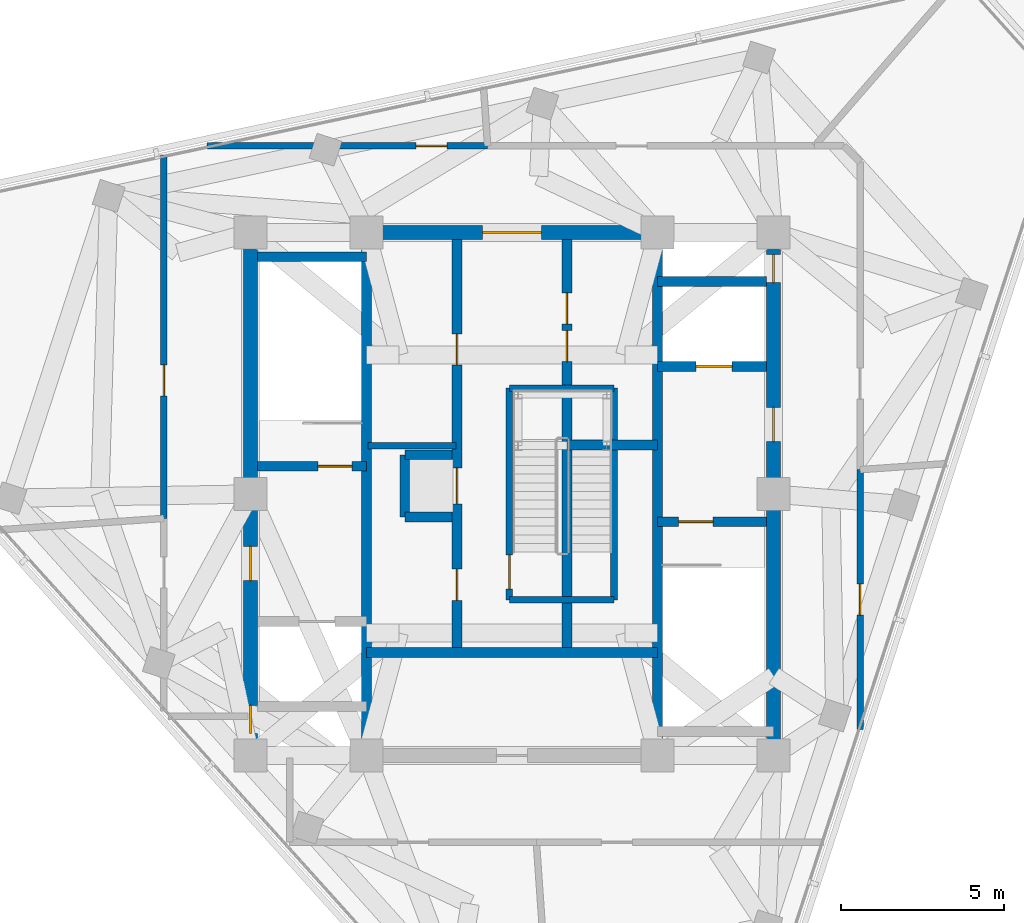
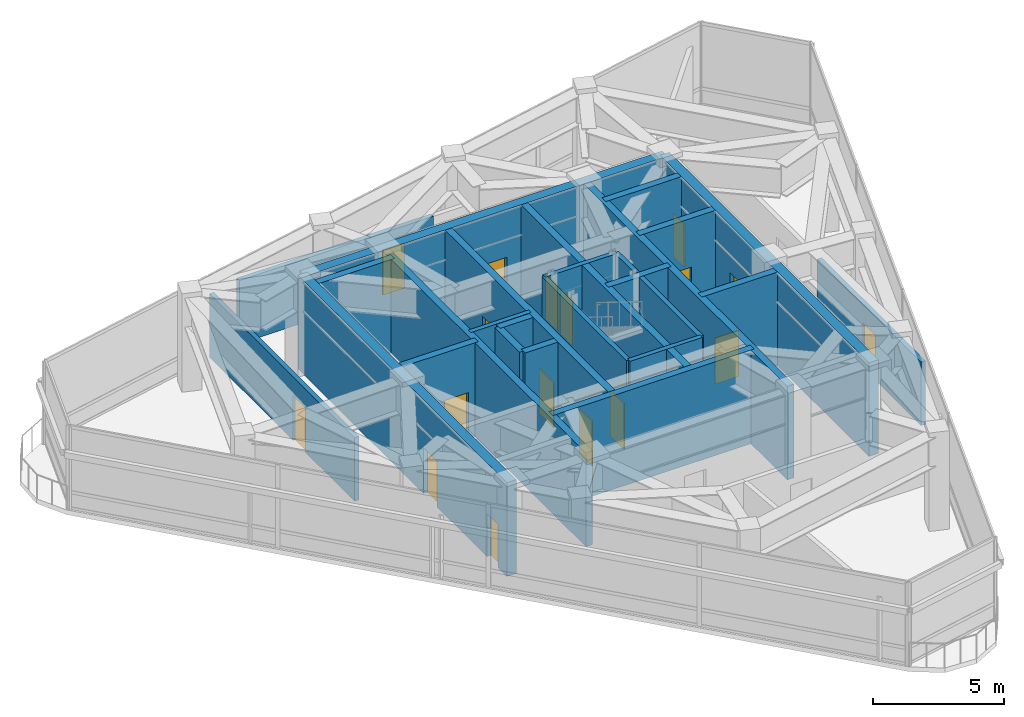
# One storey, part 7 of 11: 25 walls, 17 doors, 17 openings.
"""IFC4 building model written with IfcOpenShell, lengths in metres."""

from ifc_helpers import new_model, si_unit, direction, frame, frame_2d, origin, place, context, subcontext, project, spatial, rectangle, extrude, material, layer, layer_set, type_object, element, fill, save


model = new_model("IFC4")

# Units and contexts
model_context = context("Model", 3, precision=1e-05, world=origin(), true_north=direction((0.0, 1.0)))
body_context = subcontext(model_context, "Body", "Model", "MODEL_VIEW")
ifc_project = project(units=[si_unit("LENGTHUNIT", "METRE"), si_unit("AREAUNIT", "SQUARE_METRE"), si_unit("VOLUMEUNIT", "CUBIC_METRE"), si_unit("PLANEANGLEUNIT", "RADIAN"), si_unit("MASSUNIT", "GRAM", prefix="KILO")], contexts=[model_context])

# Site, building, storey
site_placement = place(None, origin())
site = spatial("IfcSite", under=ifc_project, at=site_placement, CompositionType="ELEMENT")
building_placement = place(site_placement, origin())
building = spatial("IfcBuilding", under=site, at=building_placement, Name="Terralouvre Media Tower", CompositionType="ELEMENT")
storey_placement = place(building_placement, frame((0.0, 0.0, 322.0)))
storey = spatial("IfcBuildingStorey", under=building, at=storey_placement, Name="L83", CompositionType="ELEMENT", Elevation=322.0)

# Walls
ifc_material_1 = material(Name="Concrete C50/60", Category="concrete")
ifc_layer_1 = layer(ifc_material_1, 0.300048828125, Name="Core Internal Shaft Wall CW-300")
ifc_layer_set_1 = layer_set([ifc_layer_1], Name="Concrete C50/60")
wall_type_1 = type_object("IfcWallType", Name="Core Internal Shaft Wall CW-300", PredefinedType="SHEAR", material=ifc_layer_set_1)
for number, where, z_axis, x_axis, name in (
    (1, (-4.449951171875, -7.7900390625, 0.0), (0.0, 0.0, 1.0), (0.0, 1.0, 0.0), "L83 Core Shaft Wall SPW"),
    (2, (4.449951171875, -7.7900390625, 0.0), (0.0, 0.0, 1.0), (0.0, 1.0, 0.0), "L83 Core Shaft Wall SPE"),
):
    element("IfcWall", number, at=place(storey_placement, frame(where, z_axis=z_axis, x_axis=x_axis)), inside=storey, type_object=wall_type_1, Name=name, PredefinedType="SHEAR", context=body_context, shape_type="SweptSolid", body=[
        extrude(rectangle(XDim=15.580078125, YDim=0.300048828125, at=frame_2d((7.7900390625, 0.0))), origin(), (0.0, 0.0, 1.0), 4.3798828125),
    ])

# Wall, opening, door
wall_1_placement = place(storey_placement, frame((-7.7900390625, 0.85009765625, 0.0), z_axis=(0.0, 0.0, 1.0), x_axis=(1.0, 0.0, 0.0)))
wall_1 = element("IfcWall", 3, at=wall_1_placement, inside=storey, type_object=wall_type_1, Name="L83 Core Shaft Wall ST1D", PredefinedType="SHEAR", context=body_context, shape_type="SweptSolid", body=[
    extrude(rectangle(XDim=3.340087890625, YDim=0.300048828125, at=frame_2d((1.669921875, 0.0))), origin(), (0.0, 0.0, 1.0), 4.3798828125),
])
opening_1_placement = place(wall_1_placement, frame((1.85009765625, 0.0, 0.0)))
opening_1 = element("IfcOpeningElement", 4, at=opening_1_placement, cuts=wall_1, Name="Opening FD-01-105X215", PredefinedType="OPENING", context=body_context, shape_type="SweptSolid", body=[
    extrude(rectangle(XDim=1.050048828125, YDim=2.14990234375, at=frame_2d((0.52490234375, 1.074951171875))), frame((0.0, 0.159912109375, 0.0), z_axis=(0.0, -1.0, 0.0), x_axis=(1.0, 0.0, 0.0)), (0.0, 0.0, 1.0), 0.320068359375),
])
ifc_material_2 = material(Name="Galvanised steel fire-resisting leaf", Category="steel")
door_type_1 = type_object("IfcDoorType", Name="Stair and Firefighting Lobby Fire Door FD-01 (1050x2150)", OperationType="NOTDEFINED", PredefinedType="DOOR", material=ifc_material_2)
door_1_placement = place(opening_1_placement, origin())
door_1 = element("IfcDoor", 5, at=door_1_placement, inside=storey, type_object=door_type_1, Name="L83 ST-01 Exit Stair Door", OperationType="SINGLE_SWING_LEFT", OverallHeight=2.14990234375, OverallWidth=1.050048828125, PredefinedType="DOOR", context=body_context, shape_type="SweptSolid", body=[
    extrude(rectangle(XDim=1.050048828125, YDim=2.14990234375, at=frame_2d((0.52490234375, 1.074951171875))), frame((0.0, 0.02490234375, 0.0), z_axis=(0.0, -1.0, 0.0), x_axis=(1.0, 0.0, 0.0)), (0.0, 0.0, 1.0), 0.050048828125),
])
fill(opening_1, door_1)

# Wall
wall_2_placement = place(storey_placement, frame((-7.7900390625, 7.260009765625, 0.0), z_axis=(0.0, 0.0, 1.0), x_axis=(1.0, 0.0, 0.0)))
element("IfcWall", 6, at=wall_2_placement, inside=storey, type_object=wall_type_1, Name="L83 Core Shaft Wall ST1F", PredefinedType="SHEAR", context=body_context, shape_type="SweptSolid", body=[
    extrude(rectangle(XDim=3.340087890625, YDim=0.300048828125, at=frame_2d((1.669921875, 0.0))), origin(), (0.0, 0.0, 1.0), 4.3798828125),
])

# Wall, opening, door
wall_3_placement = place(storey_placement, frame((4.449951171875, -0.85009765625, 0.0), z_axis=(0.0, 0.0, 1.0), x_axis=(1.0, 0.0, 0.0)))
wall_3 = element("IfcWall", 7, at=wall_3_placement, inside=storey, type_object=wall_type_1, Name="L83 Core Shaft Wall ST2D", PredefinedType="SHEAR", context=body_context, shape_type="SweptSolid", body=[
    extrude(rectangle(XDim=3.340087890625, YDim=0.300048828125, at=frame_2d((1.669921875, 0.0))), origin(), (0.0, 0.0, 1.0), 4.3798828125),
])
opening_2_placement = place(wall_3_placement, frame((0.64990234375, 0.0, 0.0)))
opening_2 = element("IfcOpeningElement", 8, at=opening_2_placement, cuts=wall_3, Name="Opening FD-01-105X215", PredefinedType="OPENING", context=body_context, shape_type="SweptSolid", body=[
    extrude(rectangle(XDim=1.050048828125, YDim=2.14990234375, at=frame_2d((0.52490234375, 1.074951171875))), frame((0.0, 0.159912109375, 0.0), z_axis=(0.0, -1.0, 0.0), x_axis=(1.0, 0.0, 0.0)), (0.0, 0.0, 1.0), 0.320068359375),
])
door_2_placement = place(opening_2_placement, origin())
door_2 = element("IfcDoor", 9, at=door_2_placement, inside=storey, type_object=door_type_1, Name="L83 ST-02 Exit Stair Door", OperationType="SINGLE_SWING_RIGHT", OverallHeight=2.14990234375, OverallWidth=1.050048828125, PredefinedType="DOOR", context=body_context, shape_type="SweptSolid", body=[
    extrude(rectangle(XDim=1.050048828125, YDim=2.14990234375, at=frame_2d((0.52490234375, 1.074951171875))), frame((0.0, 0.02490234375, 0.0), z_axis=(0.0, -1.0, 0.0), x_axis=(1.0, 0.0, 0.0)), (0.0, 0.0, 1.0), 0.050048828125),
])
fill(opening_2, door_2)

wall_4_placement = place(storey_placement, frame((4.449951171875, 3.89990234375, 0.0), z_axis=(0.0, 0.0, 1.0), x_axis=(1.0, 0.0, 0.0)))
wall_4 = element("IfcWall", 10, at=wall_4_placement, inside=storey, type_object=wall_type_1, Name="L83 Core Shaft Wall FF2S", PredefinedType="SHEAR", context=body_context, shape_type="SweptSolid", body=[
    extrude(rectangle(XDim=3.340087890625, YDim=0.300048828125, at=frame_2d((1.669921875, 0.0))), origin(), (0.0, 0.0, 1.0), 4.3798828125),
])
opening_3_placement = place(wall_4_placement, frame((1.179931640625, 0.0, 0.0)))
opening_3 = element("IfcOpeningElement", 11, at=opening_3_placement, cuts=wall_4, Name="Opening LD-FF", PredefinedType="OPENING", context=body_context, shape_type="SweptSolid", body=[
    extrude(rectangle(XDim=1.10009765625, YDim=2.10009765625, at=frame_2d((0.550048828125, 1.050048828125))), frame((0.0, 0.159912109375, 0.0), z_axis=(0.0, -1.0, 0.0), x_axis=(1.0, 0.0, 0.0)), (0.0, 0.0, 1.0), 0.320068359375),
])
ifc_material_3 = material(Name="Stainless steel 316 handrail and balustrade", Category="steel")
door_type_2 = type_object("IfcDoorType", Name="Firefighting Lift Sliding Landing Door LD-FF", OperationType="SLIDING_TO_LEFT", PredefinedType="DOOR", material=ifc_material_3)
door_3_placement = place(opening_3_placement, origin())
door_3 = element("IfcDoor", 12, at=door_3_placement, inside=storey, type_object=door_type_2, Name="L83 Firefighting Lift FFL-02 Landing Door", OperationType="SLIDING_TO_LEFT", OverallHeight=2.10009765625, OverallWidth=1.10009765625, PredefinedType="DOOR", context=body_context, shape_type="SweptSolid", body=[
    extrude(rectangle(XDim=1.10009765625, YDim=2.10009765625, at=frame_2d((0.550048828125, 1.050048828125))), frame((0.0, 0.02490234375, 0.0), z_axis=(0.0, -1.0, 0.0), x_axis=(1.0, 0.0, 0.0)), (0.0, 0.0, 1.0), 0.050048828125),
])
fill(opening_3, door_3)

# Walls
wall_5_placement = place(storey_placement, frame((4.449951171875, 6.5, 0.0), z_axis=(0.0, 0.0, 1.0), x_axis=(1.0, 0.0, 0.0)))
element("IfcWall", 13, at=wall_5_placement, inside=storey, type_object=wall_type_1, Name="L83 Core Shaft Wall FF2N", PredefinedType="SHEAR", context=body_context, shape_type="SweptSolid", body=[
    extrude(rectangle(XDim=3.340087890625, YDim=0.300048828125, at=frame_2d((1.669921875, 0.0))), origin(), (0.0, 0.0, 1.0), 4.3798828125),
])
wall_6_placement = place(storey_placement, frame((-4.449951171875, -4.85009765625, 0.0), z_axis=(0.0, 0.0, 1.0), x_axis=(1.0, 0.0, 0.0)))
element("IfcWall", 14, at=wall_6_placement, inside=storey, type_object=wall_type_1, Name="L83 Core Shaft Wall CSBN", PredefinedType="SHEAR", context=body_context, shape_type="SweptSolid", body=[
    extrude(rectangle(XDim=8.89990234375, YDim=0.300048828125, at=frame_2d((4.449951171875, 0.0))), origin(), (0.0, 0.0, 1.0), 4.3798828125),
])

# Wall, openings, doors
wall_7_placement = place(storey_placement, frame((-1.679931640625, -4.85009765625, 0.0), z_axis=(0.0, 0.0, 1.0), x_axis=(0.0, 1.0, 0.0)))
wall_7 = element("IfcWall", 15, at=wall_7_placement, inside=storey, type_object=wall_type_1, Name="L83 Core Shaft Wall LBW", PredefinedType="SHEAR", context=body_context, shape_type="SweptSolid", body=[
    extrude(rectangle(XDim=12.64013671875, YDim=0.300048828125, at=frame_2d((6.320068359375, 0.0))), origin(), (0.0, 0.0, 1.0), 4.3798828125),
])
opening_4_placement = place(wall_7_placement, frame((1.60009765625, 0.0, 0.0)))
opening_4 = element("IfcOpeningElement", 16, at=opening_4_placement, cuts=wall_7, Name="Opening FD-02-95X210", PredefinedType="OPENING", context=body_context, shape_type="SweptSolid", body=[
    extrude(rectangle(XDim=0.949951171875, YDim=2.10009765625, at=frame_2d((0.47509765625, 1.050048828125))), frame((0.0, 0.159912109375, 0.0), z_axis=(0.0, -1.0, 0.0), x_axis=(1.0, 0.0, 0.0)), (0.0, 0.0, 1.0), 0.320068359375),
])
opening_5_placement = place(wall_7_placement, frame((4.550048828125, 0.0, 0.0)))
opening_5 = element("IfcOpeningElement", 17, at=opening_5_placement, cuts=wall_7, Name="Opening LD-PL", PredefinedType="OPENING", context=body_context, shape_type="SweptSolid", body=[
    extrude(rectangle(XDim=1.10009765625, YDim=2.10009765625, at=frame_2d((0.550048828125, 1.050048828125))), frame((0.0, 0.159912109375, 0.0), z_axis=(0.0, -1.0, 0.0), x_axis=(1.0, 0.0, 0.0)), (0.0, 0.0, 1.0), 0.320068359375),
])
opening_6_placement = place(wall_7_placement, frame((8.800048828125, 0.0, 0.0)))
opening_6 = element("IfcOpeningElement", 18, at=opening_6_placement, cuts=wall_7, Name="Opening FD-04-95X210", PredefinedType="OPENING", context=body_context, shape_type="SweptSolid", body=[
    extrude(rectangle(XDim=0.949951171875, YDim=2.10009765625, at=frame_2d((0.47509765625, 1.050048828125))), frame((0.0, 0.159912109375, 0.0), z_axis=(0.0, -1.0, 0.0), x_axis=(1.0, 0.0, 0.0)), (0.0, 0.0, 1.0), 0.320068359375),
])
ifc_material_4 = material(Name="Galvanised steel fire-resisting leaf", Category="steel")
door_type_3 = type_object("IfcDoorType", Name="Core Store and Service Fire Door FD-04 (950x2100)", OperationType="NOTDEFINED", PredefinedType="DOOR", material=ifc_material_4)
door_4_placement = place(opening_6_placement, origin())
door_4 = element("IfcDoor", 19, at=door_4_placement, inside=storey, type_object=door_type_3, Name="L83 Core Linen Store Door", OperationType="SINGLE_SWING_RIGHT", OverallHeight=2.10009765625, OverallWidth=0.949951171875, PredefinedType="DOOR", context=body_context, shape_type="SweptSolid", body=[
    extrude(rectangle(XDim=0.949951171875, YDim=2.10009765625, at=frame_2d((0.47509765625, 1.050048828125))), frame((0.0, 0.02490234375, 0.0), z_axis=(0.0, -1.0, 0.0), x_axis=(1.0, 0.0, 0.0)), (0.0, 0.0, 1.0), 0.050048828125),
])
fill(opening_6, door_4)
ifc_material_5 = material(Name="Stainless steel 316 handrail and balustrade", Category="steel")
door_type_4 = type_object("IfcDoorType", Name="Passenger Lift Sliding Landing Door LD-PL", OperationType="SLIDING_TO_LEFT", PredefinedType="DOOR", material=ifc_material_5)
door_5_placement = place(opening_5_placement, origin())
door_5 = element("IfcDoor", 20, at=door_5_placement, inside=storey, type_object=door_type_4, Name="L83 Crown Service Lift CSL-01 Landing Door", OperationType="SLIDING_TO_LEFT", OverallHeight=2.10009765625, OverallWidth=1.10009765625, PredefinedType="DOOR", context=body_context, shape_type="SweptSolid", body=[
    extrude(rectangle(XDim=1.10009765625, YDim=2.10009765625, at=frame_2d((0.550048828125, 1.050048828125))), frame((0.0, 0.02490234375, 0.0), z_axis=(0.0, -1.0, 0.0), x_axis=(1.0, 0.0, 0.0)), (0.0, 0.0, 1.0), 0.050048828125),
])
fill(opening_5, door_5)
ifc_material_6 = material(Name="Galvanised steel fire-resisting leaf", Category="steel")
door_type_5 = type_object("IfcDoorType", Name="Plant and Riser Fire Door FD-02 (950x2100)", OperationType="NOTDEFINED", PredefinedType="DOOR", material=ifc_material_6)
door_6_placement = place(opening_4_placement, origin())
door_6 = element("IfcDoor", 21, at=door_6_placement, inside=storey, type_object=door_type_5, Name="L83 Core Fibre Patch Plant Door", OperationType="SINGLE_SWING_LEFT", OverallHeight=2.10009765625, OverallWidth=0.949951171875, PredefinedType="DOOR", context=body_context, shape_type="SweptSolid", body=[
    extrude(rectangle(XDim=0.949951171875, YDim=2.10009765625, at=frame_2d((0.47509765625, 1.050048828125))), frame((0.0, 0.02490234375, 0.0), z_axis=(0.0, -1.0, 0.0), x_axis=(1.0, 0.0, 0.0)), (0.0, 0.0, 1.0), 0.050048828125),
])
fill(opening_4, door_6)

wall_8_placement = place(storey_placement, frame((1.679931640625, -4.85009765625, 0.0), z_axis=(0.0, 0.0, 1.0), x_axis=(0.0, 1.0, 0.0)))
wall_8 = element("IfcWall", 22, at=wall_8_placement, inside=storey, type_object=wall_type_1, Name="L83 Core Shaft Wall LBE", PredefinedType="SHEAR", context=body_context, shape_type="SweptSolid", body=[
    extrude(rectangle(XDim=12.64013671875, YDim=0.300048828125, at=frame_2d((6.320068359375, 0.0))), origin(), (0.0, 0.0, 1.0), 4.3798828125),
])
opening_7_placement = place(wall_8_placement, frame((10.050048828125, 0.0, 0.0)))
opening_7 = element("IfcOpeningElement", 23, at=opening_7_placement, cuts=wall_8, Name="Opening FD-02-95X210", PredefinedType="OPENING", context=body_context, shape_type="SweptSolid", body=[
    extrude(rectangle(XDim=0.949951171875, YDim=2.10009765625, at=frame_2d((0.47509765625, 1.050048828125))), frame((0.0, 0.159912109375, 0.0), z_axis=(0.0, -1.0, 0.0), x_axis=(1.0, 0.0, 0.0)), (0.0, 0.0, 1.0), 0.320068359375),
])
opening_8_placement = place(wall_8_placement, frame((8.89990234375, 0.0, 0.0)))
opening_8 = element("IfcOpeningElement", 24, at=opening_8_placement, cuts=wall_8, Name="Opening FD-02-95X210", PredefinedType="OPENING", context=body_context, shape_type="SweptSolid", body=[
    extrude(rectangle(XDim=0.949951171875, YDim=2.10009765625, at=frame_2d((0.47509765625, 1.050048828125))), frame((0.0, 0.159912109375, 0.0), z_axis=(0.0, -1.0, 0.0), x_axis=(1.0, 0.0, 0.0)), (0.0, 0.0, 1.0), 0.320068359375),
])
door_7_placement = place(opening_7_placement, origin())
door_7 = element("IfcDoor", 25, at=door_7_placement, inside=storey, type_object=door_type_5, Name="L83 Waveguide Riser Plant Room Door", OperationType="SINGLE_SWING_LEFT", OverallHeight=2.10009765625, OverallWidth=0.949951171875, PredefinedType="DOOR", context=body_context, shape_type="SweptSolid", body=[
    extrude(rectangle(XDim=0.949951171875, YDim=2.10009765625, at=frame_2d((0.47509765625, 1.050048828125))), frame((0.0, 0.02490234375, 0.0), z_axis=(0.0, -1.0, 0.0), x_axis=(1.0, 0.0, 0.0)), (0.0, 0.0, 1.0), 0.050048828125),
])
fill(opening_7, door_7)
door_8_placement = place(opening_8_placement, origin())
door_8 = element("IfcDoor", 26, at=door_8_placement, inside=storey, type_object=door_type_5, Name="L83 Core AHU Sub-Plant Door", OperationType="SINGLE_SWING_LEFT", OverallHeight=2.10009765625, OverallWidth=0.949951171875, PredefinedType="DOOR", context=body_context, shape_type="SweptSolid", body=[
    extrude(rectangle(XDim=0.949951171875, YDim=2.10009765625, at=frame_2d((0.47509765625, 1.050048828125))), frame((0.0, 0.02490234375, 0.0), z_axis=(0.0, -1.0, 0.0), x_axis=(1.0, 0.0, 0.0)), (0.0, 0.0, 1.0), 0.050048828125),
])
fill(opening_8, door_8)

# Walls
wall_9_placement = place(storey_placement, frame((1.679931640625, 1.5, 0.0), z_axis=(0.0, 0.0, 1.0), x_axis=(1.0, 0.0, 0.0)))
element("IfcWall", 27, at=wall_9_placement, inside=storey, type_object=wall_type_1, Name="L83 Core Shaft Wall PLMBOT", PredefinedType="SHEAR", context=body_context, shape_type="SweptSolid", body=[
    extrude(rectangle(XDim=2.77001953125, YDim=0.300048828125, at=frame_2d((1.385009765625, 0.0))), origin(), (0.0, 0.0, 1.0), 4.3798828125),
])
wall_10_placement = place(storey_placement, frame((-3.280029296875, -0.699951171875, 0.0), z_axis=(0.0, 0.0, 1.0), x_axis=(1.0, 0.0, 0.0)))
element("IfcWall", 28, at=wall_10_placement, inside=storey, type_object=wall_type_1, Name="L83 Core Shaft Wall CSL1S", PredefinedType="SHEAR", context=body_context, shape_type="SweptSolid", body=[
    extrude(rectangle(XDim=1.449951171875, YDim=0.300048828125, at=frame_2d((0.72509765625, 0.0))), origin(), (0.0, 0.0, 1.0), 4.3798828125),
])
wall_11_placement = place(storey_placement, frame((-3.280029296875, -0.699951171875, 0.0), z_axis=(0.0, 0.0, 1.0), x_axis=(0.0, 1.0, 0.0)))
element("IfcWall", 29, at=wall_11_placement, inside=storey, type_object=wall_type_1, Name="L83 Core Shaft Wall CSL1W", PredefinedType="SHEAR", context=body_context, shape_type="SweptSolid", body=[
    extrude(rectangle(XDim=1.89990234375, YDim=0.300048828125, at=frame_2d((0.949951171875, 0.0))), origin(), (0.0, 0.0, 1.0), 4.3798828125),
])
wall_12_placement = place(storey_placement, frame((-3.280029296875, 1.199951171875, 0.0), z_axis=(0.0, 0.0, 1.0), x_axis=(1.0, 0.0, 0.0)))
element("IfcWall", 30, at=wall_12_placement, inside=storey, type_object=wall_type_1, Name="L83 Core Shaft Wall CSL1N", PredefinedType="SHEAR", context=body_context, shape_type="SweptSolid", body=[
    extrude(rectangle(XDim=1.449951171875, YDim=0.300048828125, at=frame_2d((0.72509765625, 0.0))), origin(), (0.0, 0.0, 1.0), 4.3798828125),
])

# Wall, openings, doors
ifc_material_7 = material(Name="Concrete C60/75", Category="concrete")
ifc_layer_2 = layer(ifc_material_7, 0.419921875, Name="Core Reinforced Concrete Shear Wall CW-420")
ifc_layer_set_2 = layer_set([ifc_layer_2], Name="Concrete C60/75")
wall_type_2 = type_object("IfcWallType", Name="Core Reinforced Concrete Shear Wall CW-420", PredefinedType="SHEAR", material=ifc_layer_set_2)
wall_13_placement = place(storey_placement, frame((-8.0, -8.0, 0.0), z_axis=(0.0, 0.0, 1.0), x_axis=(0.0, 1.0, 0.0)))
wall_13 = element("IfcWall", 31, at=wall_13_placement, inside=storey, type_object=wall_type_2, Name="L83 W Core Shear Wall", PredefinedType="SHEAR", context=body_context, shape_type="SweptSolid", body=[
    extrude(rectangle(XDim=16.0, YDim=0.419921875, at=frame_2d((8.0, 0.0))), origin(), (0.0, 0.0, 1.0), 4.3798828125),
])
opening_9_placement = place(wall_13_placement, frame((0.68115234375, 0.0, 0.0)))
opening_9 = element("IfcOpeningElement", 32, at=opening_9_placement, cuts=wall_13, Name="Opening TD-R1", PredefinedType="OPENING", context=body_context, shape_type="SweptSolid", body=[
    extrude(rectangle(XDim=0.85009765625, YDim=2.02001953125, at=frame_2d((0.425048828125, 1.010009765625))), frame((0.0, 0.219970703125, 0.0), z_axis=(0.0, -1.0, 0.0), x_axis=(1.0, 0.0, 0.0)), (0.0, 0.0, 1.0), 0.43994140625),
])
opening_10_placement = place(wall_13_placement, frame((5.35009765625, 0.0, 0.0)))
opening_10 = element("IfcOpeningElement", 33, at=opening_10_placement, cuts=wall_13, Name="Opening FD-01-105X215", PredefinedType="OPENING", context=body_context, shape_type="SweptSolid", body=[
    extrude(rectangle(XDim=1.050048828125, YDim=2.14990234375, at=frame_2d((0.52490234375, 1.074951171875))), frame((0.0, 0.219970703125, 0.0), z_axis=(0.0, -1.0, 0.0), x_axis=(1.0, 0.0, 0.0)), (0.0, 0.0, 1.0), 0.43994140625),
])
ifc_material_8 = material(Name="Galvanised steel fire-resisting leaf", Category="steel")
door_type_6 = type_object("IfcDoorType", Name="Riser Inspection Access Trapdoor TD-R1", OperationType="NOTDEFINED", PredefinedType="TRAPDOOR", material=ifc_material_8)
door_9_placement = place(opening_9_placement, origin())
door_9 = element("IfcDoor", 34, at=door_9_placement, inside=storey, type_object=door_type_6, Name="L83 Wet Riser Access Trapdoor", OperationType="SINGLE_SWING_LEFT", OverallHeight=2.02001953125, OverallWidth=0.85009765625, PredefinedType="TRAPDOOR", context=body_context, shape_type="SweptSolid", body=[
    extrude(rectangle(XDim=0.85009765625, YDim=2.02001953125, at=frame_2d((0.425048828125, 1.010009765625))), frame((0.0, 0.02490234375, 0.0), z_axis=(0.0, -1.0, 0.0), x_axis=(1.0, 0.0, 0.0)), (0.0, 0.0, 1.0), 0.050048828125),
])
fill(opening_9, door_9)
door_10_placement = place(opening_10_placement, origin())
door_10 = element("IfcDoor", 35, at=door_10_placement, inside=storey, type_object=door_type_1, Name="L83 West Firefighting Lobby Entry Door", OperationType="SINGLE_SWING_RIGHT", OverallHeight=2.14990234375, OverallWidth=1.050048828125, PredefinedType="DOOR", context=body_context, shape_type="SweptSolid", body=[
    extrude(rectangle(XDim=1.050048828125, YDim=2.14990234375, at=frame_2d((0.52490234375, 1.074951171875))), frame((0.0, 0.02490234375, 0.0), z_axis=(0.0, -1.0, 0.0), x_axis=(1.0, 0.0, 0.0)), (0.0, 0.0, 1.0), 0.050048828125),
])
fill(opening_10, door_10)

wall_14_placement = place(storey_placement, frame((8.0, -8.0, 0.0), z_axis=(0.0, 0.0, 1.0), x_axis=(0.0, 1.0, 0.0)))
wall_14 = element("IfcWall", 36, at=wall_14_placement, inside=storey, type_object=wall_type_2, Name="L83 E Core Shear Wall", PredefinedType="SHEAR", context=body_context, shape_type="SweptSolid", body=[
    extrude(rectangle(XDim=16.0, YDim=0.419921875, at=frame_2d((8.0, 0.0))), origin(), (0.0, 0.0, 1.0), 4.3798828125),
])
opening_11_placement = place(wall_14_placement, frame((9.60009765625, 0.0, 0.0)))
opening_11 = element("IfcOpeningElement", 37, at=opening_11_placement, cuts=wall_14, Name="Opening FD-01-105X215", PredefinedType="OPENING", context=body_context, shape_type="SweptSolid", body=[
    extrude(rectangle(XDim=1.050048828125, YDim=2.14990234375, at=frame_2d((0.52490234375, 1.074951171875))), frame((0.0, 0.219970703125, 0.0), z_axis=(0.0, -1.0, 0.0), x_axis=(1.0, 0.0, 0.0)), (0.0, 0.0, 1.0), 0.43994140625),
])
opening_12_placement = place(wall_14_placement, frame((14.468994140625, 0.0, 0.0)))
opening_12 = element("IfcOpeningElement", 38, at=opening_12_placement, cuts=wall_14, Name="Opening TD-R1", PredefinedType="OPENING", context=body_context, shape_type="SweptSolid", body=[
    extrude(rectangle(XDim=0.85009765625, YDim=2.02001953125, at=frame_2d((0.425048828125, 1.010009765625))), frame((0.0, 0.219970703125, 0.0), z_axis=(0.0, -1.0, 0.0), x_axis=(1.0, 0.0, 0.0)), (0.0, 0.0, 1.0), 0.43994140625),
])
door_11_placement = place(opening_12_placement, origin())
door_11 = element("IfcDoor", 39, at=door_11_placement, inside=storey, type_object=door_type_6, Name="L83 East Comms Riser Access Trapdoor", OperationType="SINGLE_SWING_RIGHT", OverallHeight=2.02001953125, OverallWidth=0.85009765625, PredefinedType="TRAPDOOR", context=body_context, shape_type="SweptSolid", body=[
    extrude(rectangle(XDim=0.85009765625, YDim=2.02001953125, at=frame_2d((0.425048828125, 1.010009765625))), frame((0.0, 0.02490234375, 0.0), z_axis=(0.0, -1.0, 0.0), x_axis=(1.0, 0.0, 0.0)), (0.0, 0.0, 1.0), 0.050048828125),
])
fill(opening_12, door_11)
door_12_placement = place(opening_11_placement, origin())
door_12 = element("IfcDoor", 40, at=door_12_placement, inside=storey, type_object=door_type_1, Name="L83 East Firefighting Lobby Entry Door", OperationType="SINGLE_SWING_LEFT", OverallHeight=2.14990234375, OverallWidth=1.050048828125, PredefinedType="DOOR", context=body_context, shape_type="SweptSolid", body=[
    extrude(rectangle(XDim=1.050048828125, YDim=2.14990234375, at=frame_2d((0.52490234375, 1.074951171875))), frame((0.0, 0.02490234375, 0.0), z_axis=(0.0, -1.0, 0.0), x_axis=(1.0, 0.0, 0.0)), (0.0, 0.0, 1.0), 0.050048828125),
])
fill(opening_11, door_12)

# Wall, opening, door
wall_15_placement = place(storey_placement, frame((-8.0, 8.0, 0.0), z_axis=(0.0, 0.0, 1.0), x_axis=(1.0, 0.0, 0.0)))
wall_15 = element("IfcWall", 41, at=wall_15_placement, inside=storey, type_object=wall_type_2, Name="L83 N Core Shear Wall", PredefinedType="SHEAR", context=body_context, shape_type="SweptSolid", body=[
    extrude(rectangle(XDim=16.0, YDim=0.419921875, at=frame_2d((8.0, 0.0))), origin(), (0.0, 0.0, 1.0), 4.3798828125),
])
opening_13_placement = place(wall_15_placement, frame((7.10009765625, 0.0, 0.0)))
opening_13 = element("IfcOpeningElement", 42, at=opening_13_placement, cuts=wall_15, Name="Opening FD-03", PredefinedType="OPENING", context=body_context, shape_type="SweptSolid", body=[
    extrude(rectangle(XDim=1.800048828125, YDim=2.14990234375, at=frame_2d((0.89990234375, 1.074951171875))), frame((0.0, 0.219970703125, 0.0), z_axis=(0.0, -1.0, 0.0), x_axis=(1.0, 0.0, 0.0)), (0.0, 0.0, 1.0), 0.43994140625),
])
ifc_material_9 = material(Name="Galvanised steel fire-resisting leaf", Category="steel")
door_type_7 = type_object("IfcDoorType", Name="Corridor Smoke-Control Double Door FD-03", OperationType="DOUBLE_DOOR_SINGLE_SWING", PredefinedType="DOOR", material=ifc_material_9)
door_13_placement = place(opening_13_placement, origin())
door_13 = element("IfcDoor", 43, at=door_13_placement, inside=storey, type_object=door_type_7, Name="L83 Central Lift Lobby Portal Door", OperationType="DOUBLE_DOOR_SINGLE_SWING", OverallHeight=2.14990234375, OverallWidth=1.800048828125, PredefinedType="DOOR", context=body_context, shape_type="SweptSolid", body=[
    extrude(rectangle(XDim=1.800048828125, YDim=2.14990234375, at=frame_2d((0.89990234375, 1.074951171875))), frame((0.0, 0.02490234375, 0.0), z_axis=(0.0, -1.0, 0.0), x_axis=(1.0, 0.0, 0.0)), (0.0, 0.0, 1.0), 0.050048828125),
])
fill(opening_13, door_13)

# Walls
ifc_material_10 = material(Name="Fire-rated gypsum board drywall partition")
ifc_layer_3 = layer(ifc_material_10, 0.199951171875, Name="Fire-Rated Shaft and Lobby Partition FW-200")
ifc_layer_set_3 = layer_set([ifc_layer_3], Name="Fire-rated gypsum board drywall partition")
wall_type_3 = type_object("IfcWallType", Name="Fire-Rated Shaft and Lobby Partition FW-200", PredefinedType="SOLIDWALL", material=ifc_layer_set_3)
wall_16_placement = place(storey_placement, frame((-4.39990234375, 1.469970703125, 0.0), z_axis=(0.0, 0.0, 1.0), x_axis=(1.0, 0.0, 0.0)))
element("IfcWall", 44, at=wall_16_placement, inside=storey, type_object=wall_type_3, Name="L83 Core West Sub-Partition 1", PredefinedType="SOLIDWALL", context=body_context, shape_type="SweptSolid", body=[
    extrude(rectangle(XDim=2.679931640625, YDim=0.199951171875, at=frame_2d((1.33984375, 0.0))), origin(), (0.0, 0.0, 1.0), 4.3798828125),
])
wall_17_placement = place(storey_placement, frame((-0.080078125, -3.239990234375, 0.0), z_axis=(0.0, 0.0, 1.0), x_axis=(1.0, 0.0, 0.0)))
element("IfcWall", 45, at=wall_17_placement, inside=storey, type_object=wall_type_3, Name="L83 ST05 Stair Shaft Wall S", PredefinedType="SOLIDWALL", context=body_context, shape_type="SweptSolid", body=[
    extrude(rectangle(XDim=3.2001953125, YDim=0.199951171875, at=frame_2d((1.60009765625, 0.0))), origin(), (0.0, 0.0, 1.0), 4.3798828125),
])
wall_18_placement = place(storey_placement, frame((3.1201171875, -3.239990234375, 0.0), z_axis=(0.0, 0.0, 1.0), x_axis=(0.0, 1.0, 0.0)))
element("IfcWall", 46, at=wall_18_placement, inside=storey, type_object=wall_type_3, Name="L83 ST05 Stair Shaft Wall E", PredefinedType="SOLIDWALL", context=body_context, shape_type="SweptSolid", body=[
    extrude(rectangle(XDim=6.47998046875, YDim=0.199951171875, at=frame_2d((3.239990234375, 0.0))), origin(), (0.0, 0.0, 1.0), 4.3798828125),
])
wall_19_placement = place(storey_placement, frame((3.1201171875, 3.239990234375, 0.0), z_axis=(0.0, 0.0, 1.0), x_axis=(-1.0, 0.0, 0.0)))
element("IfcWall", 47, at=wall_19_placement, inside=storey, type_object=wall_type_3, Name="L83 ST05 Stair Shaft Wall N", PredefinedType="SOLIDWALL", context=body_context, shape_type="SweptSolid", body=[
    extrude(rectangle(XDim=3.2001953125, YDim=0.199951171875, at=frame_2d((1.60009765625, 0.0))), origin(), (0.0, 0.0, 1.0), 4.3798828125),
])

# Wall, opening, door
wall_20_placement = place(storey_placement, frame((-0.080078125, 3.239990234375, 0.0), z_axis=(0.0, 0.0, 1.0), x_axis=(0.0, -1.0, 0.0)))
wall_20 = element("IfcWall", 48, at=wall_20_placement, inside=storey, type_object=wall_type_3, Name="L83 ST05 Stair Shaft Wall W", PredefinedType="SOLIDWALL", context=body_context, shape_type="SweptSolid", body=[
    extrude(rectangle(XDim=6.47998046875, YDim=0.199951171875, at=frame_2d((3.239990234375, 0.0))), origin(), (0.0, 0.0, 1.0), 4.3798828125),
])
opening_14_placement = place(wall_20_placement, frame((5.10009765625, 0.0, 0.0)))
opening_14 = element("IfcOpeningElement", 49, at=opening_14_placement, cuts=wall_20, Name="Opening FD-01-105X215", PredefinedType="OPENING", context=body_context, shape_type="SweptSolid", body=[
    extrude(rectangle(XDim=1.050048828125, YDim=2.14990234375, at=frame_2d((0.52490234375, 1.074951171875))), frame((0.0, 0.10986328125, 0.0), z_axis=(0.0, -1.0, 0.0), x_axis=(1.0, 0.0, 0.0)), (0.0, 0.0, 1.0), 0.219970703125),
])
door_14_placement = place(opening_14_placement, origin())
door_14 = element("IfcDoor", 50, at=door_14_placement, inside=storey, type_object=door_type_1, Name="L83 ST05 Pressurised Stair Door", OperationType="SINGLE_SWING_LEFT", OverallHeight=2.14990234375, OverallWidth=1.050048828125, PredefinedType="DOOR", context=body_context, shape_type="SweptSolid", body=[
    extrude(rectangle(XDim=1.050048828125, YDim=2.14990234375, at=frame_2d((0.52490234375, 1.074951171875))), frame((0.0, 0.02490234375, 0.0), z_axis=(0.0, -1.0, 0.0), x_axis=(1.0, 0.0, 0.0)), (0.0, 0.0, 1.0), 0.050048828125),
])
fill(opening_14, door_14)

wall_21_placement = place(storey_placement, frame((10.64990234375, -7.207763671875, 0.0), z_axis=(0.0, 0.0, 1.0), x_axis=(0.0, 1.0, 0.0)))
wall_21 = element("IfcWall", 51, at=wall_21_placement, inside=storey, type_object=wall_type_3, Name="L83 Interior Partition 006", PredefinedType="SOLIDWALL", context=body_context, shape_type="SweptSolid", body=[
    extrude(rectangle(XDim=7.952880859375, YDim=0.199951171875, at=frame_2d((3.9765625, 0.0))), origin(), (0.0, 0.0, 1.0), 2.965087890625),
])
opening_15_placement = place(wall_21_placement, frame((3.50146484375, 0.0, 0.0)))
opening_15 = element("IfcOpeningElement", 52, at=opening_15_placement, cuts=wall_21, Name="Opening FD-02-95X210", PredefinedType="OPENING", context=body_context, shape_type="SweptSolid", body=[
    extrude(rectangle(XDim=0.949951171875, YDim=2.10009765625, at=frame_2d((0.47509765625, 1.050048828125))), frame((0.0, 0.10986328125, 0.0), z_axis=(0.0, -1.0, 0.0), x_axis=(1.0, 0.0, 0.0)), (0.0, 0.0, 1.0), 0.219970703125),
])
door_15_placement = place(opening_15_placement, origin())
door_15 = element("IfcDoor", 53, at=door_15_placement, inside=storey, type_object=door_type_5, Name="L83 L83 Emergency Standby Switchgear Plant Room Door", OperationType="SINGLE_SWING_LEFT", OverallHeight=2.10009765625, OverallWidth=0.949951171875, PredefinedType="DOOR", context=body_context, shape_type="SweptSolid", body=[
    extrude(rectangle(XDim=0.949951171875, YDim=2.10009765625, at=frame_2d((0.47509765625, 1.050048828125))), frame((0.0, 0.02490234375, 0.0), z_axis=(0.0, -1.0, 0.0), x_axis=(1.0, 0.0, 0.0)), (0.0, 0.0, 1.0), 0.050048828125),
])
fill(opening_15, door_15)

wall_22_placement = place(storey_placement, frame((-0.7451171875, 10.64990234375, 0.0), z_axis=(0.0, 0.0, 1.0), x_axis=(-1.0, 0.0, 0.0)))
wall_22 = element("IfcWall", 54, at=wall_22_placement, inside=storey, type_object=wall_type_3, Name="L83 Interior Partition 011", PredefinedType="SOLIDWALL", context=body_context, shape_type="SweptSolid", body=[
    extrude(rectangle(XDim=8.580078125, YDim=0.199951171875, at=frame_2d((4.2900390625, 0.0))), origin(), (0.0, 0.0, 1.0), 2.965087890625),
])
opening_16_placement = place(wall_22_placement, frame((1.240966796875, 0.0, 0.0)))
opening_16 = element("IfcOpeningElement", 55, at=opening_16_placement, cuts=wall_22, Name="Opening FD-02-95X210", PredefinedType="OPENING", context=body_context, shape_type="SweptSolid", body=[
    extrude(rectangle(XDim=0.949951171875, YDim=2.10009765625, at=frame_2d((0.47509765625, 1.050048828125))), frame((0.0, 0.10986328125, 0.0), z_axis=(0.0, -1.0, 0.0), x_axis=(1.0, 0.0, 0.0)), (0.0, 0.0, 1.0), 0.219970703125),
])
door_16_placement = place(opening_16_placement, origin())
door_16 = element("IfcDoor", 56, at=door_16_placement, inside=storey, type_object=door_type_5, Name="L83 L83 Smoke-Extract Pressurisation Fan Plant Room Door", OperationType="SINGLE_SWING_RIGHT", OverallHeight=2.10009765625, OverallWidth=0.949951171875, PredefinedType="DOOR", context=body_context, shape_type="SweptSolid", body=[
    extrude(rectangle(XDim=0.949951171875, YDim=2.10009765625, at=frame_2d((0.47509765625, 1.050048828125))), frame((0.0, 0.02490234375, 0.0), z_axis=(0.0, -1.0, 0.0), x_axis=(1.0, 0.0, 0.0)), (0.0, 0.0, 1.0), 0.050048828125),
])
fill(opening_16, door_16)

wall_23_placement = place(storey_placement, frame((-10.64990234375, 10.368408203125, 0.0), z_axis=(0.0, 0.0, 1.0), x_axis=(0.0, -1.0, 0.0)))
wall_23 = element("IfcWall", 57, at=wall_23_placement, inside=storey, type_object=wall_type_3, Name="L83 Interior Partition 012", PredefinedType="SOLIDWALL", context=body_context, shape_type="SweptSolid", body=[
    extrude(rectangle(XDim=11.113525390625, YDim=0.199951171875, at=frame_2d((5.556640625, 0.0))), origin(), (0.0, 0.0, 1.0), 2.965087890625),
])
opening_17_placement = place(wall_23_placement, frame((6.415283203125, 0.0, 0.0)))
opening_17 = element("IfcOpeningElement", 58, at=opening_17_placement, cuts=wall_23, Name="Opening FD-02-95X210", PredefinedType="OPENING", context=body_context, shape_type="SweptSolid", body=[
    extrude(rectangle(XDim=0.949951171875, YDim=2.10009765625, at=frame_2d((0.47509765625, 1.050048828125))), frame((0.0, 0.10986328125, 0.0), z_axis=(0.0, -1.0, 0.0), x_axis=(1.0, 0.0, 0.0)), (0.0, 0.0, 1.0), 0.219970703125),
])
door_17_placement = place(opening_17_placement, origin())
door_17 = element("IfcDoor", 59, at=door_17_placement, inside=storey, type_object=door_type_5, Name="L83 L83 Telemetry and BMS Control Plant Room Door", OperationType="SINGLE_SWING_LEFT", OverallHeight=2.10009765625, OverallWidth=0.949951171875, PredefinedType="DOOR", context=body_context, shape_type="SweptSolid", body=[
    extrude(rectangle(XDim=0.949951171875, YDim=2.10009765625, at=frame_2d((0.47509765625, 1.050048828125))), frame((0.0, 0.02490234375, 0.0), z_axis=(0.0, -1.0, 0.0), x_axis=(1.0, 0.0, 0.0)), (0.0, 0.0, 1.0), 0.050048828125),
])
fill(opening_17, door_17)

save(model, "model.ifc")
